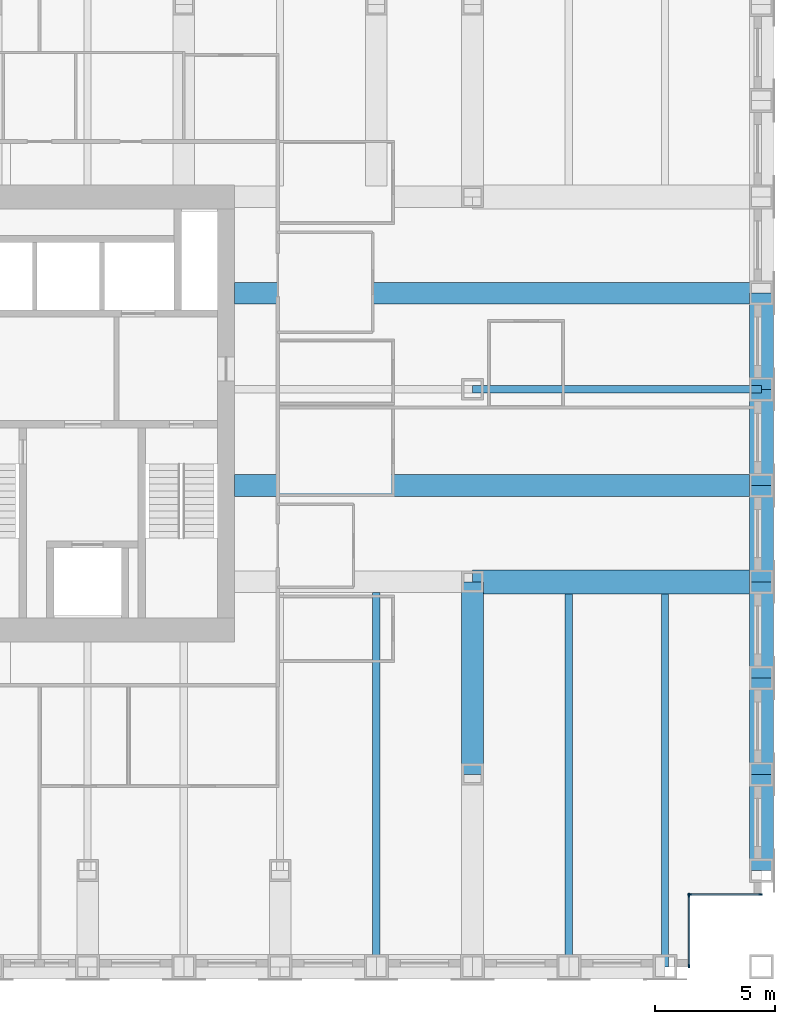
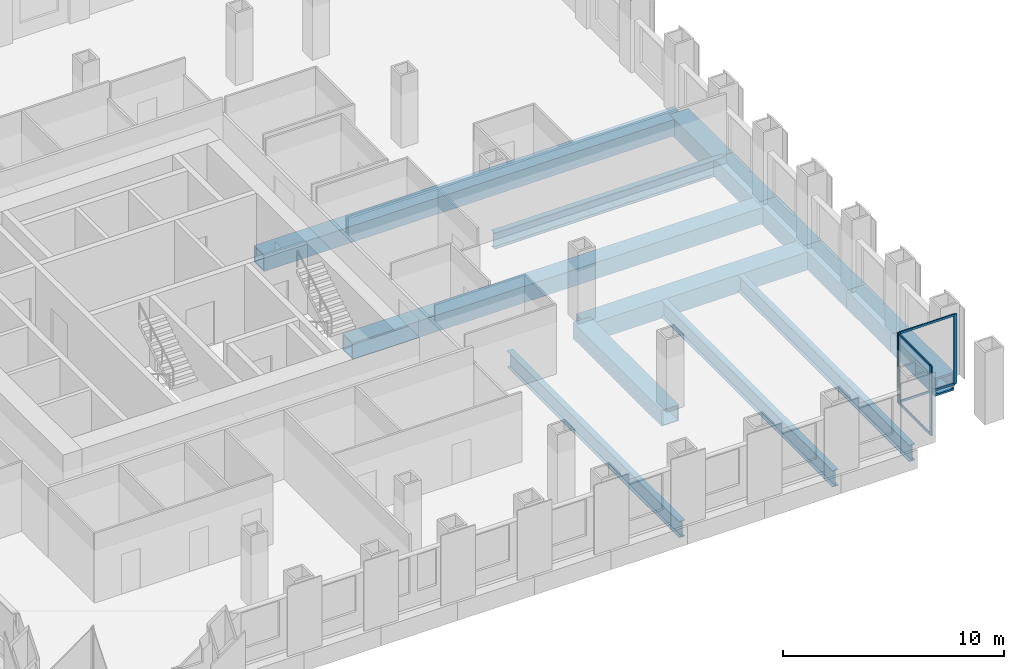
# One storey, part 4 of 16: 14 beams, 8 members, 2 elements without a shape of their own.
"""IFC4 building model written with IfcOpenShell, lengths in metres."""

from ifc_helpers import new_model, si_unit, direction, frame, origin, origin_2d, place, context, subcontext, project, spatial, rectangle, hollow_rectangle, i_section, extrude, material, material_profile, profile_set, type_object, element, aggregate, save


model = new_model("IFC4")

# Units and contexts
model_context = context("Model", 3, precision=1e-05, world=origin(), true_north=direction((0.0, 1.0)))
body_context = subcontext(model_context, "Body", "Model", "MODEL_VIEW")
ifc_project = project(units=[si_unit("LENGTHUNIT", "METRE"), si_unit("AREAUNIT", "SQUARE_METRE"), si_unit("VOLUMEUNIT", "CUBIC_METRE"), si_unit("PLANEANGLEUNIT", "RADIAN"), si_unit("MASSUNIT", "GRAM", prefix="KILO")], contexts=[model_context])

# Site, building, storey
site_placement = place(None, origin())
site = spatial("IfcSite", under=ifc_project, at=site_placement, CompositionType="ELEMENT")
building_placement = place(site_placement, origin())
building = spatial("IfcBuilding", under=site, at=building_placement, Name="Rimbunsela Tower", CompositionType="ELEMENT")
storey_placement = place(building_placement, frame((0.0, 0.0, 129.39990234375)))
storey = spatial("IfcBuildingStorey", under=building, at=storey_placement, Name="L31", CompositionType="ELEMENT", Elevation=129.39990234375)

# Beams
ifc_material_1 = material(Name="Steel BJ 55 (fy 410 MPa)", Category="steel")
ifc_material_profile_1 = material_profile(ifc_material_1, hollow_rectangle(XDim=1.0, YDim=1.0, WallThickness=0.10009765625, at=origin_2d()), Name="BOX 1000x1000x100")
ifc_profile_set_1 = profile_set([ifc_material_profile_1], Name="Steel BJ 55 (fy 410 MPa)")
beam_type_1 = type_object("IfcBeamType", Name="Beam BOX 1000x1000x100", PredefinedType="BEAM", material=ifc_profile_set_1)
beam_1_placement = place(storey_placement, frame((46.0, 20.0, -0.64990234375), z_axis=(1.0, 0.0, 0.0), x_axis=(0.0, 1.0, 0.0)))
element("IfcBeam", 1, at=beam_1_placement, inside=storey, type_object=beam_type_1, Name="Beam B3 L31", PredefinedType="BEAM", context=body_context, shape_type="SweptSolid", body=[
    extrude(hollow_rectangle(XDim=1.0, YDim=1.0, WallThickness=0.10009765625, at=origin_2d()), origin(), (0.0, 0.0, 1.0), 12.0),
])
for number, where, z_axis, x_axis, name in (
    (2, (58.0, 8.0, -0.64990234375), (0.0, 1.0, 0.0), (-1.0, 0.0, 0.0), "Beam B3 L31"),
    (3, (58.0, 12.0, -0.64990234375), (0.0, 1.0, 0.0), (-1.0, 0.0, 0.0), "Beam B3 L31"),
    (4, (58.0, 16.0, -0.64990234375), (0.0, 1.0, 0.0), (-1.0, 0.0, 0.0), "Beam B3 L31"),
    (5, (58.0, 20.0, -0.64990234375), (0.0, 1.0, 0.0), (-1.0, 0.0, 0.0), "Beam B3 L31"),
    (6, (58.0, 24.0, -0.64990234375), (0.0, 1.0, 0.0), (-1.0, 0.0, 0.0), "Beam B3 L31"),
    (7, (58.0, 28.0, -0.64990234375), (0.0, 1.0, 0.0), (-1.0, 0.0, 0.0), "Beam B3 L31"),
):
    element("IfcBeam", number, at=place(storey_placement, frame(where, z_axis=z_axis, x_axis=x_axis)), inside=storey, type_object=beam_type_1, Name=name, PredefinedType="BEAM", context=body_context, shape_type="SweptSolid", body=[
        extrude(hollow_rectangle(XDim=1.0, YDim=1.0, WallThickness=0.10009765625, at=origin_2d()), origin(), (0.0, 0.0, 1.0), 4.0),
    ])
ifc_material_2 = material(Name="Steel BJ 55 (fy 410 MPa)", Category="steel")
ifc_material_profile_2 = material_profile(ifc_material_2, hollow_rectangle(XDim=0.89990234375, YDim=0.89990234375, WallThickness=0.06005859375, at=origin_2d()), Name="BOX 900x900x60")
ifc_profile_set_2 = profile_set([ifc_material_profile_2], Name="Steel BJ 55 (fy 410 MPa)")
beam_type_2 = type_object("IfcBeamType", Name="Beam BOX 900x900x60", PredefinedType="BEAM", material=ifc_profile_set_2)
for number, where, z_axis, x_axis, name in (
    (8, (36.10009765625, 24.0, -0.599853515625), (1.0, 0.0, 0.0), (0.0, 1.0, 0.0), "Beam B1 L31"),
    (9, (36.10009765625, 32.0, -0.599853515625), (1.0, 0.0, 0.0), (0.0, 1.0, 0.0), "Beam B1 L31"),
):
    element("IfcBeam", number, at=place(storey_placement, frame(where, z_axis=z_axis, x_axis=x_axis)), inside=storey, type_object=beam_type_2, Name=name, PredefinedType="BEAM", context=body_context, shape_type="SweptSolid", body=[
        extrude(hollow_rectangle(XDim=0.89990234375, YDim=0.89990234375, WallThickness=0.06005859375, at=origin_2d()), origin(), (0.0, 0.0, 1.0), 21.89990234375),
    ])
beam_2_placement = place(storey_placement, frame((46.0, 12.0, -0.599853515625), z_axis=(0.0, 1.0, 0.0), x_axis=(-1.0, 0.0, 0.0)))
element("IfcBeam", 10, at=beam_2_placement, inside=storey, type_object=beam_type_2, Name="Beam B1 L31", PredefinedType="BEAM", context=body_context, shape_type="SweptSolid", body=[
    extrude(hollow_rectangle(XDim=0.89990234375, YDim=0.89990234375, WallThickness=0.06005859375, at=origin_2d()), origin(), (0.0, 0.0, 1.0), 8.0),
])
ifc_material_3 = material(Name="Steel BJ 55 (fy 410 MPa)", Category="steel")
ifc_material_profile_3 = material_profile(ifc_material_3, i_section(OverallWidth=0.300048828125, OverallDepth=0.89990234375, WebThickness=0.01611328125, FlangeThickness=0.028076171875, FilletRadius=0.028076171875, at=origin_2d()), Name="H 900x300x16x28")
ifc_profile_set_3 = profile_set([ifc_material_profile_3], Name="Steel BJ 55 (fy 410 MPa)")
beam_type_3 = type_object("IfcBeamType", Name="Beam H 900x300x16x28", PredefinedType="BEAM", material=ifc_profile_set_3)
beam_3_placement = place(storey_placement, frame((42.0, 4.0, -0.599853515625), z_axis=(0.0, 1.0, 0.0), x_axis=(-1.0, 0.0, 0.0)))
element("IfcBeam", 11, at=beam_3_placement, inside=storey, type_object=beam_type_3, Name="Beam B2 L31", PredefinedType="BEAM", context=body_context, shape_type="SweptSolid", body=[
    extrude(i_section(OverallWidth=0.300048828125, OverallDepth=0.89990234375, WebThickness=0.01611328125, FlangeThickness=0.028076171875, FilletRadius=0.028076171875, at=origin_2d()), origin(), (0.0, 0.0, 1.0), 15.550048828125),
])
beam_4_placement = place(storey_placement, frame((46.0, 28.0, -0.599853515625), z_axis=(1.0, 0.0, 0.0), x_axis=(0.0, 1.0, 0.0)))
element("IfcBeam", 12, at=beam_4_placement, inside=storey, type_object=beam_type_3, Name="Beam B2 L31", PredefinedType="BEAM", context=body_context, shape_type="SweptSolid", body=[
    extrude(i_section(OverallWidth=0.300048828125, OverallDepth=0.89990234375, WebThickness=0.01611328125, FlangeThickness=0.028076171875, FilletRadius=0.028076171875, at=origin_2d()), origin(), (0.0, 0.0, 1.0), 12.0),
])
for number, where, z_axis, x_axis, name in (
    (13, (50.0, 4.0, -0.599853515625), (0.0, 1.0, 0.0), (-1.0, 0.0, 0.0), "Beam B2 L31"),
    (14, (54.0, 4.0, -0.599853515625), (0.0, 1.0, 0.0), (-1.0, 0.0, 0.0), "Beam B2 L31"),
):
    element("IfcBeam", number, at=place(storey_placement, frame(where, z_axis=z_axis, x_axis=x_axis)), inside=storey, type_object=beam_type_3, Name=name, PredefinedType="BEAM", context=body_context, shape_type="SweptSolid", body=[
        extrude(i_section(OverallWidth=0.300048828125, OverallDepth=0.89990234375, WebThickness=0.01611328125, FlangeThickness=0.028076171875, FilletRadius=0.028076171875, at=origin_2d()), origin(), (0.0, 0.0, 1.0), 15.5),
    ])

# Curtain wall, members
ifc_material_4 = material(Name="Aluminium curtain wall", Category="aluminium")
curtain_wall_type = type_object("IfcCurtainWallType", Name="Corner glazing", PredefinedType="USERDEFINED", material=ifc_material_4)
curtain_wall_1_placement = place(storey_placement, origin())
curtain_wall_1 = element("IfcCurtainWall", 15, at=curtain_wall_1_placement, inside=storey, type_object=curtain_wall_type, Name="Corner glazing L31", ObjectType="CORNER GLAZING", PredefinedType="USERDEFINED")
ifc_material_5 = material(Name="Aluminium mullion", Category="aluminium")
ifc_material_profile_4 = material_profile(ifc_material_5, rectangle(XDim=0.06005859375, YDim=0.159912109375, at=origin_2d()), Name="Mullion 60x160")
ifc_profile_set_4 = profile_set([ifc_material_profile_4], Name="Aluminium mullion")
member_type_1 = type_object("IfcMemberType", Name="Curtain wall mullion 60x160", PredefinedType="MULLION", material=ifc_profile_set_4)
member_1_placement = place(storey_placement, frame((55.0, 4.030029296875, 0.0), z_axis=(0.0, 0.0, 1.0), x_axis=(-1.0, 0.0, 0.0)))
member_1 = element("IfcMember", 16, at=member_1_placement, type_object=member_type_1, Name="CW5 mullion 1", PredefinedType="MULLION", context=body_context, shape_type="SweptSolid", body=[
    extrude(rectangle(XDim=0.06005859375, YDim=0.159912109375, at=origin_2d()), origin(), (0.0, 0.0, 1.0), 3.85009765625),
])
member_2_placement = place(storey_placement, frame((55.0, 6.969970703125, 0.0), z_axis=(0.0, 0.0, 1.0), x_axis=(-1.0, 0.0, 0.0)))
member_2 = element("IfcMember", 17, at=member_2_placement, type_object=member_type_1, Name="CW5 mullion 2", PredefinedType="MULLION", context=body_context, shape_type="SweptSolid", body=[
    extrude(rectangle(XDim=0.06005859375, YDim=0.159912109375, at=origin_2d()), origin(), (0.0, 0.0, 1.0), 3.85009765625),
])

curtain_wall_2_placement = place(storey_placement, origin())
curtain_wall_2 = element("IfcCurtainWall", 18, at=curtain_wall_2_placement, inside=storey, type_object=curtain_wall_type, Name="Corner glazing L31", ObjectType="CORNER GLAZING", PredefinedType="USERDEFINED")
member_3_placement = place(storey_placement, frame((55.030029296875, 7.0, 0.0), z_axis=(0.0, 0.0, 1.0), x_axis=(0.0, 1.0, 0.0)))
member_3 = element("IfcMember", 19, at=member_3_placement, type_object=member_type_1, Name="CW5 mullion 1", PredefinedType="MULLION", context=body_context, shape_type="SweptSolid", body=[
    extrude(rectangle(XDim=0.06005859375, YDim=0.159912109375, at=origin_2d()), origin(), (0.0, 0.0, 1.0), 3.85009765625),
])
member_4_placement = place(storey_placement, frame((57.969970703125, 7.0, 0.0), z_axis=(0.0, 0.0, 1.0), x_axis=(0.0, 1.0, 0.0)))
member_4 = element("IfcMember", 20, at=member_4_placement, type_object=member_type_1, Name="CW5 mullion 2", PredefinedType="MULLION", context=body_context, shape_type="SweptSolid", body=[
    extrude(rectangle(XDim=0.06005859375, YDim=0.159912109375, at=origin_2d()), origin(), (0.0, 0.0, 1.0), 3.85009765625),
])

# Member
ifc_material_6 = material(Name="Aluminium transom", Category="aluminium")
ifc_material_profile_5 = material_profile(ifc_material_6, rectangle(XDim=0.06005859375, YDim=0.1201171875, at=origin_2d()), Name="Transom 60x120")
ifc_profile_set_5 = profile_set([ifc_material_profile_5], Name="Aluminium transom")
member_type_2 = type_object("IfcMemberType", Name="Curtain wall transom 60x120", PredefinedType="USERDEFINED", material=ifc_profile_set_5)
member_5_placement = place(storey_placement, frame((55.0, 4.06005859375, 0.030029296875), z_axis=(0.0, 1.0, 0.0), x_axis=(-1.0, 0.0, 0.0)))
member_5 = element("IfcMember", 21, at=member_5_placement, type_object=member_type_2, Name="CW5 transom 1.1", ObjectType="TRANSOM", PredefinedType="USERDEFINED", context=body_context, shape_type="SweptSolid", body=[
    extrude(rectangle(XDim=0.06005859375, YDim=0.1201171875, at=origin_2d()), origin(), (0.0, 0.0, 1.0), 2.8798828125),
])

member_6_placement = place(storey_placement, frame((55.0, 4.06005859375, 3.820068359375), z_axis=(0.0, 1.0, 0.0), x_axis=(-1.0, 0.0, 0.0)))
member_6 = element("IfcMember", 22, at=member_6_placement, type_object=member_type_2, Name="CW5 transom 1.2", ObjectType="TRANSOM", PredefinedType="USERDEFINED", context=body_context, shape_type="SweptSolid", body=[
    extrude(rectangle(XDim=0.06005859375, YDim=0.1201171875, at=origin_2d()), origin(), (0.0, 0.0, 1.0), 2.8798828125),
])

aggregate(curtain_wall_1, [member_1, member_2, member_5, member_6])

member_7_placement = place(storey_placement, frame((55.06005859375, 7.0, 0.030029296875), z_axis=(1.0, 0.0, 0.0), x_axis=(0.0, 1.0, 0.0)))
member_7 = element("IfcMember", 23, at=member_7_placement, type_object=member_type_2, Name="CW5 transom 1.1", ObjectType="TRANSOM", PredefinedType="USERDEFINED", context=body_context, shape_type="SweptSolid", body=[
    extrude(rectangle(XDim=0.06005859375, YDim=0.1201171875, at=origin_2d()), origin(), (0.0, 0.0, 1.0), 2.8798828125),
])

member_8_placement = place(storey_placement, frame((55.06005859375, 7.0, 3.820068359375), z_axis=(1.0, 0.0, 0.0), x_axis=(0.0, 1.0, 0.0)))
member_8 = element("IfcMember", 24, at=member_8_placement, type_object=member_type_2, Name="CW5 transom 1.2", ObjectType="TRANSOM", PredefinedType="USERDEFINED", context=body_context, shape_type="SweptSolid", body=[
    extrude(rectangle(XDim=0.06005859375, YDim=0.1201171875, at=origin_2d()), origin(), (0.0, 0.0, 1.0), 2.8798828125),
])

aggregate(curtain_wall_2, [member_3, member_4, member_7, member_8])

save(model, "model.ifc")
